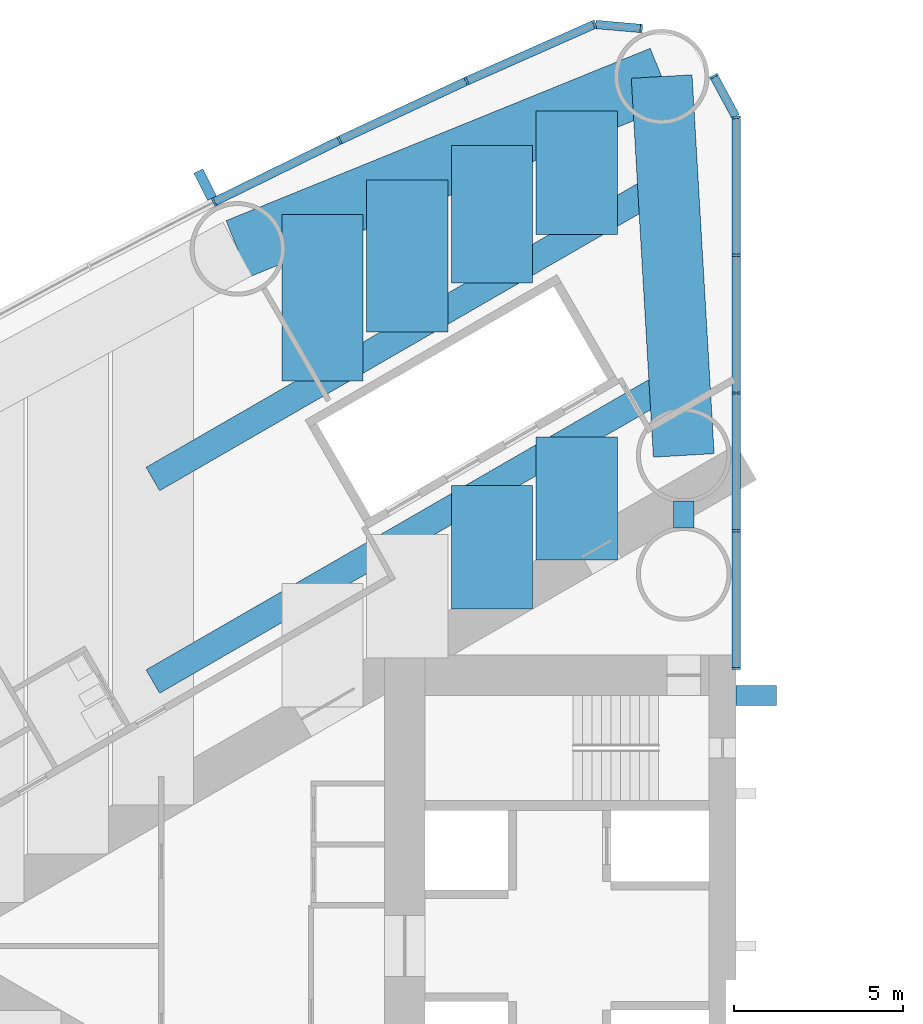
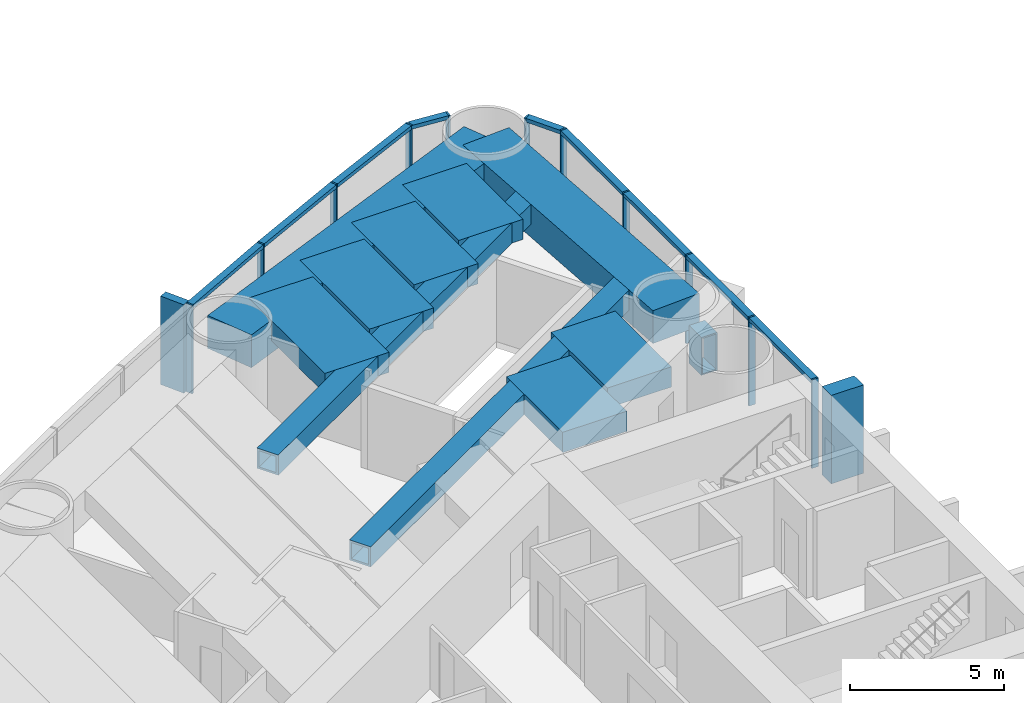
# One storey, part 5 of 19: 22 members, 11 beams, 2 elements without a shape of their own.
"""IFC4 building model written with IfcOpenShell, lengths in metres."""

from ifc_helpers import new_model, si_unit, direction, frame, origin, origin_2d, place, context, subcontext, project, spatial, rectangle, hollow_rectangle, extrude, material, material_profile, profile_set, type_object, element, aggregate, save


model = new_model("IFC4")

# Units and contexts
model_context = context("Model", 3, precision=1e-05, world=origin(), true_north=direction((0.0, 1.0)))
body_context = subcontext(model_context, "Body", "Model", "MODEL_VIEW")
ifc_project = project(units=[si_unit("LENGTHUNIT", "METRE"), si_unit("AREAUNIT", "SQUARE_METRE"), si_unit("VOLUMEUNIT", "CUBIC_METRE"), si_unit("PLANEANGLEUNIT", "RADIAN"), si_unit("MASSUNIT", "GRAM", prefix="KILO")], contexts=[model_context])

# Site, building, storey
site_placement = place(None, origin())
site = spatial("IfcSite", under=ifc_project, at=site_placement, CompositionType="ELEMENT")
building_placement = place(site_placement, origin())
building = spatial("IfcBuilding", under=site, at=building_placement, Name="Lancet Gate Hotel", CompositionType="ELEMENT")
storey_placement = place(building_placement, frame((0.0, 0.0, 21.5)))
storey = spatial("IfcBuildingStorey", under=building, at=storey_placement, Name="L04", CompositionType="ELEMENT", Elevation=21.5)

# Curtain wall, members
ifc_material_1 = material(Name="Aluminium curtain wall", Category="aluminium")
curtain_wall_type = type_object("IfcCurtainWallType", Name="Tower unitised curtain wall", PredefinedType="USERDEFINED", material=ifc_material_1)
curtain_wall_1_placement = place(storey_placement, origin())
curtain_wall_1 = element("IfcCurtainWall", 1, at=curtain_wall_1_placement, inside=storey, type_object=curtain_wall_type, Name="T1 L04 curtain wall 1", ObjectType="UNITISED CURTAIN WALL", PredefinedType="USERDEFINED")
ifc_material_2 = material(Name="Aluminium mullion", Category="aluminium")
ifc_material_profile_1 = material_profile(ifc_material_2, rectangle(XDim=0.06494140625, YDim=0.25, at=origin_2d()), Name="MULLION 65x250")
ifc_profile_set_1 = profile_set([ifc_material_profile_1], Name="Aluminium mullion")
member_type_1 = type_object("IfcMemberType", Name="Aluminium mullion 65x250", PredefinedType="MULLION", material=ifc_profile_set_1)
member_1_placement = place(storey_placement, frame((-27.5, 8.199951171875, 0.0), z_axis=(0.0, 0.0, 1.0), x_axis=(0.0, 1.0, 0.0)))
member_1 = element("IfcMember", 2, at=member_1_placement, type_object=member_type_1, Name="T1 L04 curtain wall 1 mullion 1", PredefinedType="MULLION", context=body_context, shape_type="SweptSolid", body=[
    extrude(rectangle(XDim=0.06494140625, YDim=0.25, at=origin_2d()), origin(), (0.0, 0.0, 1.0), 3.5),
])
member_2_placement = place(storey_placement, frame((-27.5, 12.272705078125, 0.0), z_axis=(0.0, 0.0, 1.0), x_axis=(0.0, 1.0, 0.0)))
member_2 = element("IfcMember", 3, at=member_2_placement, type_object=member_type_1, Name="T1 L04 curtain wall 1 mullion 2", PredefinedType="MULLION", context=body_context, shape_type="SweptSolid", body=[
    extrude(rectangle(XDim=0.06494140625, YDim=0.25, at=origin_2d()), origin(), (0.0, 0.0, 1.0), 3.5),
])
member_3_placement = place(storey_placement, frame((-27.5, 16.345703125, 0.0), z_axis=(0.0, 0.0, 1.0), x_axis=(0.0, 1.0, 0.0)))
member_3 = element("IfcMember", 4, at=member_3_placement, type_object=member_type_1, Name="T1 L04 curtain wall 1 mullion 3", PredefinedType="MULLION", context=body_context, shape_type="SweptSolid", body=[
    extrude(rectangle(XDim=0.06494140625, YDim=0.25, at=origin_2d()), origin(), (0.0, 0.0, 1.0), 3.5),
])
member_4_placement = place(storey_placement, frame((-27.5, 20.41845703125, 0.0), z_axis=(0.0, 0.0, 1.0), x_axis=(0.0, 1.0, 0.0)))
member_4 = element("IfcMember", 5, at=member_4_placement, type_object=member_type_1, Name="T1 L04 curtain wall 1 mullion 4", PredefinedType="MULLION", context=body_context, shape_type="SweptSolid", body=[
    extrude(rectangle(XDim=0.06494140625, YDim=0.25, at=origin_2d()), origin(), (0.0, 0.0, 1.0), 3.5),
])
member_5_placement = place(storey_placement, frame((-27.5, 24.4912109375, 0.0), z_axis=(0.0, 0.0, 1.0), x_axis=(-0.123482502544, 0.992346749662, 0.0)))
member_5 = element("IfcMember", 6, at=member_5_placement, type_object=member_type_1, Name="T1 L04 curtain wall 1 mullion 5", PredefinedType="MULLION", context=body_context, shape_type="SweptSolid", body=[
    extrude(rectangle(XDim=0.06494140625, YDim=0.25, at=origin_2d()), origin(), (0.0, 0.0, 1.0), 3.5),
])
member_6_placement = place(storey_placement, frame((-28.158935546875, 25.712890625, 0.0), z_axis=(0.0, 0.0, 1.0), x_axis=(-0.474631040972, 0.880184852714, 0.0)))
member_6 = element("IfcMember", 7, at=member_6_placement, type_object=member_type_1, Name="T1 L04 curtain wall 1 mullion 6", PredefinedType="MULLION", context=body_context, shape_type="SweptSolid", body=[
    extrude(rectangle(XDim=0.06494140625, YDim=0.25, at=origin_2d()), origin(), (0.0, 0.0, 1.0), 3.5),
])

curtain_wall_2_placement = place(storey_placement, origin())
curtain_wall_2 = element("IfcCurtainWall", 8, at=curtain_wall_2_placement, inside=storey, type_object=curtain_wall_type, Name="T1 L04 curtain wall 2", ObjectType="UNITISED CURTAIN WALL", PredefinedType="USERDEFINED")
member_7_placement = place(storey_placement, frame((-30.3046875, 27.124755859375, 0.0), z_axis=(0.0, 0.0, 1.0), x_axis=(-0.99620380374, 0.087051602022, 0.0)))
member_7 = element("IfcMember", 9, at=member_7_placement, type_object=member_type_1, Name="T1 L04 curtain wall 2 mullion 1", PredefinedType="MULLION", context=body_context, shape_type="SweptSolid", body=[
    extrude(rectangle(XDim=0.06494140625, YDim=0.25, at=origin_2d()), origin(), (0.0, 0.0, 1.0), 3.5),
])
member_8_placement = place(storey_placement, frame((-31.688720703125, 27.24560546875, 0.0), z_axis=(0.0, 0.0, 1.0), x_axis=(-0.957524354695, -0.288352406209, 0.0)))
member_8 = element("IfcMember", 10, at=member_8_placement, type_object=member_type_1, Name="T1 L04 curtain wall 2 mullion 2", PredefinedType="MULLION", context=body_context, shape_type="SweptSolid", body=[
    extrude(rectangle(XDim=0.06494140625, YDim=0.25, at=origin_2d()), origin(), (0.0, 0.0, 1.0), 3.5),
])
member_9_placement = place(storey_placement, frame((-35.473876953125, 25.568115234375, 0.0), z_axis=(0.0, 0.0, 1.0), x_axis=(-0.910219680212, -0.414125746308, 0.0)))
member_9 = element("IfcMember", 11, at=member_9_placement, type_object=member_type_1, Name="T1 L04 curtain wall 2 mullion 3", PredefinedType="MULLION", context=body_context, shape_type="SweptSolid", body=[
    extrude(rectangle(XDim=0.06494140625, YDim=0.25, at=origin_2d()), origin(), (0.0, 0.0, 1.0), 3.5),
])
member_10_placement = place(storey_placement, frame((-39.225341796875, 23.816650390625, 0.0), z_axis=(0.0, 0.0, 1.0), x_axis=(-0.901928838337, -0.431884672772, 0.0)))
member_10 = element("IfcMember", 12, at=member_10_placement, type_object=member_type_1, Name="T1 L04 curtain wall 2 mullion 4", PredefinedType="MULLION", context=body_context, shape_type="SweptSolid", body=[
    extrude(rectangle(XDim=0.06494140625, YDim=0.25, at=origin_2d()), origin(), (0.0, 0.0, 1.0), 3.5),
])
member_11_placement = place(storey_placement, frame((-42.94189453125, 21.991943359375, 0.0), z_axis=(0.0, 0.0, 1.0), x_axis=(-0.893291549794, -0.449477704748, 0.0)))
member_11 = element("IfcMember", 13, at=member_11_placement, type_object=member_type_1, Name="T1 L04 curtain wall 2 mullion 5", PredefinedType="MULLION", context=body_context, shape_type="SweptSolid", body=[
    extrude(rectangle(XDim=0.06494140625, YDim=0.25, at=origin_2d()), origin(), (0.0, 0.0, 1.0), 3.5),
])

# Member
ifc_material_3 = material(Name="Aluminium transom", Category="aluminium")
ifc_material_profile_2 = material_profile(ifc_material_3, rectangle(XDim=0.25, YDim=0.14990234375, at=origin_2d()), Name="TRANSOM 250x150")
ifc_profile_set_2 = profile_set([ifc_material_profile_2], Name="Aluminium transom")
member_type_2 = type_object("IfcMemberType", Name="Aluminium transom 250x150", PredefinedType="USERDEFINED", material=ifc_profile_set_2)
member_12_placement = place(storey_placement, frame((-27.5, 8.232421875, 3.425048828125), z_axis=(0.0, 1.0, 0.0), x_axis=(-1.0, 0.0, 0.0)))
member_12 = element("IfcMember", 14, at=member_12_placement, type_object=member_type_2, Name="T1 L04 curtain wall 1 transom 1", ObjectType="TRANSOM", PredefinedType="USERDEFINED", context=body_context, shape_type="SweptSolid", body=[
    extrude(rectangle(XDim=0.25, YDim=0.14990234375, at=origin_2d()), origin(), (0.0, 0.0, 1.0), 4.0078125),
])

member_13_placement = place(storey_placement, frame((-27.5, 12.30517578125, 3.425048828125), z_axis=(0.0, 1.0, 0.0), x_axis=(-1.0, 0.0, 0.0)))
member_13 = element("IfcMember", 15, at=member_13_placement, type_object=member_type_2, Name="T1 L04 curtain wall 1 transom 2", ObjectType="TRANSOM", PredefinedType="USERDEFINED", context=body_context, shape_type="SweptSolid", body=[
    extrude(rectangle(XDim=0.25, YDim=0.14990234375, at=origin_2d()), origin(), (0.0, 0.0, 1.0), 4.0078125),
])

member_14_placement = place(storey_placement, frame((-27.5, 16.378173828125, 3.425048828125), z_axis=(0.0, 1.0, 0.0), x_axis=(-1.0, 0.0, 0.0)))
member_14 = element("IfcMember", 16, at=member_14_placement, type_object=member_type_2, Name="T1 L04 curtain wall 1 transom 3", ObjectType="TRANSOM", PredefinedType="USERDEFINED", context=body_context, shape_type="SweptSolid", body=[
    extrude(rectangle(XDim=0.25, YDim=0.14990234375, at=origin_2d()), origin(), (0.0, 0.0, 1.0), 4.0078125),
])

member_15_placement = place(storey_placement, frame((-27.5, 20.450927734375, 3.425048828125), z_axis=(0.0, 1.0, 0.0), x_axis=(-1.0, 0.0, 0.0)))
member_15 = element("IfcMember", 17, at=member_15_placement, type_object=member_type_2, Name="T1 L04 curtain wall 1 transom 4", ObjectType="TRANSOM", PredefinedType="USERDEFINED", context=body_context, shape_type="SweptSolid", body=[
    extrude(rectangle(XDim=0.25, YDim=0.14990234375, at=origin_2d()), origin(), (0.0, 0.0, 1.0), 4.0078125),
])

member_16_placement = place(storey_placement, frame((-27.515380859375, 24.519775390625, 3.425048828125), z_axis=(-0.474605926905, 0.880198394765, 0.0), x_axis=(-0.880198394765, -0.474605926905, 0.0)))
member_16 = element("IfcMember", 18, at=member_16_placement, type_object=member_type_2, Name="T1 L04 curtain wall 1 transom 5", ObjectType="TRANSOM", PredefinedType="USERDEFINED", context=body_context, shape_type="SweptSolid", body=[
    extrude(rectangle(XDim=0.25, YDim=0.14990234375, at=origin_2d()), origin(), (0.0, 0.0, 1.0), 1.322998046875),
])

aggregate(curtain_wall_1, [member_1, member_2, member_3, member_4, member_5, member_6, member_12, member_13, member_14, member_15, member_16])

member_17_placement = place(storey_placement, frame((-30.337158203125, 27.127685546875, 3.425048828125), z_axis=(-0.99620591587, 0.087027427779, 0.0), x_axis=(-0.087027427779, -0.99620591587, 0.0)))
member_17 = element("IfcMember", 19, at=member_17_placement, type_object=member_type_2, Name="T1 L04 curtain wall 2 transom 1", ObjectType="TRANSOM", PredefinedType="USERDEFINED", context=body_context, shape_type="SweptSolid", body=[
    extrude(rectangle(XDim=0.25, YDim=0.14990234375, at=origin_2d()), origin(), (0.0, 0.0, 1.0), 1.32421875),
])

member_18_placement = place(storey_placement, frame((-31.71826171875, 27.232421875, 3.425048828125), z_axis=(-0.914248281954, -0.405154389022, 0.0), x_axis=(0.405154389022, -0.914248281954, 0.0)))
member_18 = element("IfcMember", 20, at=member_18_placement, type_object=member_type_2, Name="T1 L04 curtain wall 2 transom 2", ObjectType="TRANSOM", PredefinedType="USERDEFINED", context=body_context, shape_type="SweptSolid", body=[
    extrude(rectangle(XDim=0.25, YDim=0.14990234375, at=origin_2d()), origin(), (0.0, 0.0, 1.0), 4.0751953125),
])

member_19_placement = place(storey_placement, frame((-35.503173828125, 25.554443359375, 3.425048828125), z_axis=(-0.906109667261, -0.423042871228, 0.0), x_axis=(0.423042871228, -0.906109667261, 0.0)))
member_19 = element("IfcMember", 21, at=member_19_placement, type_object=member_type_2, Name="T1 L04 curtain wall 2 transom 3", ObjectType="TRANSOM", PredefinedType="USERDEFINED", context=body_context, shape_type="SweptSolid", body=[
    extrude(rectangle(XDim=0.25, YDim=0.14990234375, at=origin_2d()), origin(), (0.0, 0.0, 1.0), 4.075439453125),
])

member_20_placement = place(storey_placement, frame((-39.254638671875, 23.80224609375, 3.425048828125), z_axis=(-0.897662439958, -0.440683723194, 0.0), x_axis=(0.440683723194, -0.897662439958, 0.0)))
member_20 = element("IfcMember", 22, at=member_20_placement, type_object=member_type_2, Name="T1 L04 curtain wall 2 transom 4", ObjectType="TRANSOM", PredefinedType="USERDEFINED", context=body_context, shape_type="SweptSolid", body=[
    extrude(rectangle(XDim=0.25, YDim=0.14990234375, at=origin_2d()), origin(), (0.0, 0.0, 1.0), 4.0751953125),
])

# Beams
ifc_material_4 = material(Name="Concrete C50/60", Category="concrete")
ifc_material_profile_3 = material_profile(ifc_material_4, rectangle(XDim=1.800048828125, YDim=1.300048828125, at=origin_2d()), Name="RC 1800x1300")
ifc_profile_set_3 = profile_set([ifc_material_profile_3], Name="Concrete C50/60")
beam_type_1 = type_object("IfcBeamType", Name="Edge beam RC 1800x1300", PredefinedType="SPANDREL", material=ifc_profile_set_3)
beam_1_placement = place(storey_placement, frame((-29.703369140625, 25.70263671875, 2.60009765625), z_axis=(-0.926463236197, -0.376385270667, 0.0), x_axis=(0.376385270667, -0.926463236197, 0.0)))
element("IfcBeam", 23, at=beam_1_placement, inside=storey, type_object=beam_type_1, Name="T1 edge beam EB1 L04", PredefinedType="SPANDREL", context=body_context, shape_type="SweptSolid", body=[
    extrude(rectangle(XDim=1.800048828125, YDim=1.300048828125, at=origin_2d()), origin(), (0.0, 0.0, 1.0), 13.537353515625),
])
beam_2_placement = place(storey_placement, frame((-29.703369140625, 25.70263671875, 2.60009765625), z_axis=(0.058219521912, -0.998303805096, 0.0), x_axis=(0.998303805096, 0.058219521912, 0.0)))
element("IfcBeam", 24, at=beam_2_placement, inside=storey, type_object=beam_type_1, Name="T1 edge beam EB1 L04", PredefinedType="SPANDREL", context=body_context, shape_type="SweptSolid", body=[
    extrude(rectangle(XDim=1.800048828125, YDim=1.300048828125, at=origin_2d()), origin(), (0.0, 0.0, 1.0), 11.2216796875),
])

# Member
ifc_material_5 = material(Name="Concrete C60/75", Category="concrete")
ifc_material_profile_4 = material_profile(ifc_material_5, rectangle(XDim=0.60009765625, YDim=1.199951171875, at=origin_2d()), Name="FIN 600x1200")
ifc_profile_set_4 = profile_set([ifc_material_profile_4], Name="Concrete C60/75")
member_type_3 = type_object("IfcMemberType", Name="Exposed concrete buttress pilaster 600x1200", PredefinedType="USERDEFINED", material=ifc_profile_set_4)
member_21_placement = place(storey_placement, frame((-26.909912109375, 7.39990234375, 0.0), z_axis=(0.0, 0.0, 1.0), x_axis=(0.0, 1.0, 0.0)))
element("IfcMember", 25, at=member_21_placement, inside=storey, type_object=member_type_3, Name="T1 buttress pilaster S L04", ObjectType="FIN", PredefinedType="USERDEFINED", context=body_context, shape_type="SweptSolid", body=[
    extrude(rectangle(XDim=0.60009765625, YDim=1.199951171875, at=origin_2d()), origin(), (0.0, 0.0, 1.0), 3.5),
])

ifc_material_6 = material(Name="Precast concrete C50/60", Category="concrete")
ifc_material_profile_5 = material_profile(ifc_material_6, rectangle(XDim=0.300048828125, YDim=0.89990234375, at=origin_2d()), Name="FIN 300x900")
ifc_profile_set_5 = profile_set([ifc_material_profile_5], Name="Precast concrete C50/60")
member_type_4 = type_object("IfcMemberType", Name="Exposed concrete fin 300x900", PredefinedType="USERDEFINED", material=ifc_profile_set_5)
member_22_placement = place(storey_placement, frame((-43.200439453125, 22.505615234375, 0.0), z_axis=(0.0, 0.0, 1.0), x_axis=(-0.893291549794, -0.449477704748, 0.0)))
member_22 = element("IfcMember", 26, at=member_22_placement, type_object=member_type_4, Name="T1 L04 curtain wall 2 fin 5", ObjectType="FIN", PredefinedType="USERDEFINED", context=body_context, shape_type="SweptSolid", body=[
    extrude(rectangle(XDim=0.300048828125, YDim=0.89990234375, at=origin_2d()), origin(), (0.0, 0.0, 1.0), 3.5),
])

aggregate(curtain_wall_2, [member_7, member_8, member_9, member_10, member_11, member_22, member_17, member_18, member_19, member_20])

# Beams
ifc_material_7 = material(Name="Concrete C50/60", Category="concrete")
ifc_material_profile_6 = material_profile(ifc_material_7, rectangle(XDim=2.39990234375, YDim=0.800048828125, at=origin_2d()), Name="RC 2400x800")
ifc_profile_set_6 = profile_set([ifc_material_profile_6], Name="Concrete C50/60")
beam_type_2 = type_object("IfcBeamType", Name="Floor beam RC 2400x800", PredefinedType="BEAM", material=ifc_profile_set_6)
beam_3_placement = place(storey_placement, frame((-32.213623046875, 24.682861328125, 2.85009765625), z_axis=(0.0, -1.0, 0.0), x_axis=(1.0, 0.0, 0.0)))
element("IfcBeam", 27, at=beam_3_placement, inside=storey, type_object=beam_type_2, Name="T1 floor beam F02SA L04", PredefinedType="BEAM", context=body_context, shape_type="SweptSolid", body=[
    extrude(rectangle(XDim=2.39990234375, YDim=0.800048828125, at=origin_2d()), origin(), (0.0, 0.0, 1.0), 3.643798828125),
])
beam_4_placement = place(storey_placement, frame((-32.213623046875, 15.051025390625, 2.85009765625), z_axis=(0.0, -1.0, 0.0), x_axis=(1.0, 0.0, 0.0)))
element("IfcBeam", 28, at=beam_4_placement, inside=storey, type_object=beam_type_2, Name="T1 floor beam F02SB L04", PredefinedType="BEAM", context=body_context, shape_type="SweptSolid", body=[
    extrude(rectangle(XDim=2.39990234375, YDim=0.800048828125, at=origin_2d()), origin(), (0.0, 0.0, 1.0), 3.645751953125),
])
beam_5_placement = place(storey_placement, frame((-34.720458984375, 23.664306640625, 2.85009765625), z_axis=(0.0, -1.0, 0.0), x_axis=(1.0, 0.0, 0.0)))
element("IfcBeam", 29, at=beam_5_placement, inside=storey, type_object=beam_type_2, Name="T1 floor beam F04SA L04", PredefinedType="BEAM", context=body_context, shape_type="SweptSolid", body=[
    extrude(rectangle(XDim=2.39990234375, YDim=0.800048828125, at=origin_2d()), origin(), (0.0, 0.0, 1.0), 4.07275390625),
])
beam_6_placement = place(storey_placement, frame((-34.720458984375, 13.603759765625, 2.85009765625), z_axis=(0.0, -1.0, 0.0), x_axis=(1.0, 0.0, 0.0)))
element("IfcBeam", 30, at=beam_6_placement, inside=storey, type_object=beam_type_2, Name="T1 floor beam F04SB L04", PredefinedType="BEAM", context=body_context, shape_type="SweptSolid", body=[
    extrude(rectangle(XDim=2.39990234375, YDim=0.800048828125, at=origin_2d()), origin(), (0.0, 0.0, 1.0), 3.645751953125),
])
beam_7_placement = place(storey_placement, frame((-37.227294921875, 22.64599609375, 2.85009765625), z_axis=(0.0, -1.0, 0.0), x_axis=(1.0, 0.0, 0.0)))
element("IfcBeam", 31, at=beam_7_placement, inside=storey, type_object=beam_type_2, Name="T1 floor beam F05SA L04", PredefinedType="BEAM", context=body_context, shape_type="SweptSolid", body=[
    extrude(rectangle(XDim=2.39990234375, YDim=0.800048828125, at=origin_2d()), origin(), (0.0, 0.0, 1.0), 4.501953125),
])
beam_8_placement = place(storey_placement, frame((-39.734130859375, 21.627685546875, 2.85009765625), z_axis=(0.0, -1.0, 0.0), x_axis=(1.0, 0.0, 0.0)))
element("IfcBeam", 32, at=beam_8_placement, inside=storey, type_object=beam_type_2, Name="T1 floor beam F07SA L04", PredefinedType="BEAM", context=body_context, shape_type="SweptSolid", body=[
    extrude(rectangle(XDim=2.39990234375, YDim=0.800048828125, at=origin_2d()), origin(), (0.0, 0.0, 1.0), 4.93115234375),
])
ifc_material_8 = material(Name="Steel S460QL", Category="steel")
ifc_material_profile_7 = material_profile(ifc_material_8, hollow_rectangle(XDim=0.60009765625, YDim=1.5, WallThickness=0.050048828125, at=origin_2d()), Name="BOX 1500x600x50")
ifc_profile_set_7 = profile_set([ifc_material_profile_7], Name="Steel S460QL")
beam_type_3 = type_object("IfcBeamType", Name="Inner-face link beam BOX 1500x600x50", PredefinedType="BEAM", material=ifc_profile_set_7)
beam_9_placement = place(storey_placement, frame((-29.050048828125, 13.14990234375, 2.5), z_axis=(0.0, -1.0, 0.0), x_axis=(1.0, 0.0, 0.0)))
element("IfcBeam", 33, at=beam_9_placement, inside=storey, type_object=beam_type_3, Name="T1 inner-face link beam LK1 L04", PredefinedType="BEAM", context=body_context, shape_type="SweptSolid", body=[
    extrude(hollow_rectangle(XDim=0.60009765625, YDim=1.5, WallThickness=0.050048828125, at=origin_2d()), origin(), (0.0, 0.0, 1.0), 0.7998046875),
])
ifc_material_9 = material(Name="Steel S460QL", Category="steel")
ifc_material_profile_8 = material_profile(ifc_material_9, hollow_rectangle(XDim=0.800048828125, YDim=0.800048828125, WallThickness=0.080078125, at=origin_2d()), Name="BOX 800x800x80")
ifc_profile_set_8 = profile_set([ifc_material_profile_8], Name="Steel S460QL")
beam_type_4 = type_object("IfcBeamType", Name="Trimmer beam BOX 800x800x80", PredefinedType="BEAM", material=ifc_profile_set_8)
beam_10_placement = place(storey_placement, frame((-29.18408203125, 16.800537109375, 2.85009765625), z_axis=(-0.865998945969, -0.500045823481, 0.0), x_axis=(0.500045823481, -0.865998945969, 0.0)))
element("IfcBeam", 34, at=beam_10_placement, inside=storey, type_object=beam_type_4, Name="T1 trimmer beam TR01S L04", PredefinedType="BEAM", context=body_context, shape_type="SweptSolid", body=[
    extrude(hollow_rectangle(XDim=0.800048828125, YDim=0.800048828125, WallThickness=0.080078125, at=origin_2d()), origin(), (0.0, 0.0, 1.0), 17.971923828125),
])
beam_11_placement = place(storey_placement, frame((-29.52197265625, 22.59326171875, 2.85009765625), z_axis=(-0.866004054636, -0.500036975987, 0.0), x_axis=(0.500036975987, -0.866004054636, 0.0)))
element("IfcBeam", 35, at=beam_11_placement, inside=storey, type_object=beam_type_4, Name="T1 trimmer beam TR02S L04", PredefinedType="BEAM", context=body_context, shape_type="SweptSolid", body=[
    extrude(hollow_rectangle(XDim=0.800048828125, YDim=0.800048828125, WallThickness=0.080078125, at=origin_2d()), origin(), (0.0, 0.0, 1.0), 17.581787109375),
])

save(model, "model.ifc")
